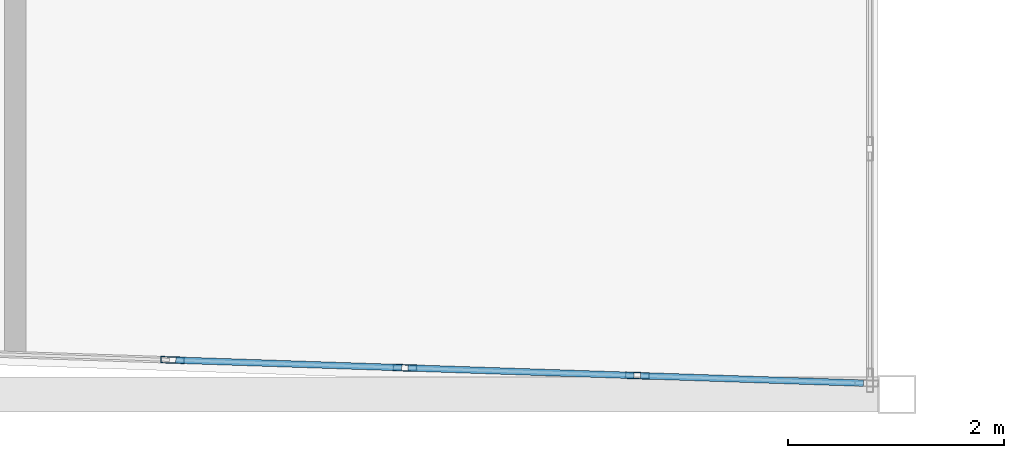
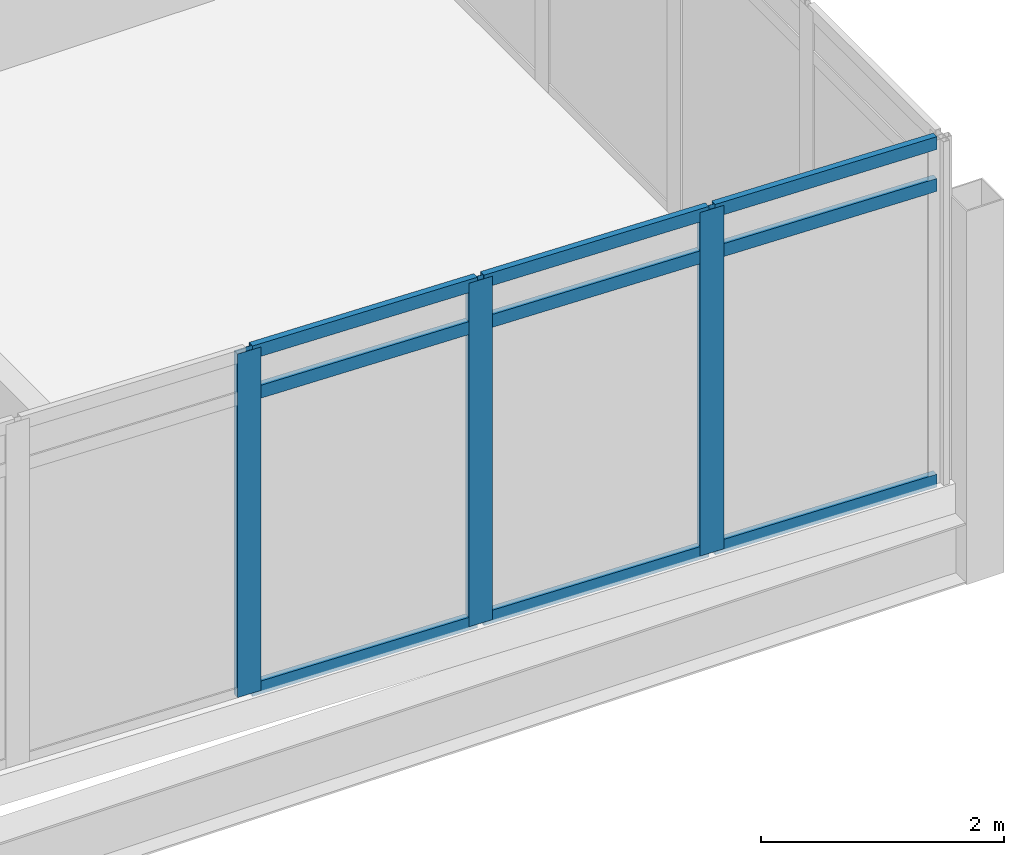
# One storey, part 7 of 29: 12 members, 1 element without a shape of its own.
"""IFC4 building model written with IfcOpenShell, lengths in metres."""

import ifcopenshell
import ifcopenshell.guid

model = None  # the IFC model being written
_history = None  # IfcOwnerHistory: only IFC2X3 demands one
_inside = {}  # id of a spatial element -> (the spatial element, [elements in it])
_under = {}  # id of a project, library or spatial element -> (it, [spatial elements below it])
_declared = {}  # id of a project -> (the project, [libraries it declares])
_typed = {}  # id of a type object -> (the type object, [elements of that type])
_made_of = {}  # id of a material, layer set ... -> (it, [elements and type objects made of it])


def new_model(schema):
    """Start an empty IFC model of exactly this schema.

    Asked for "IFC4X3", IfcOpenShell would pick the latest addendum, in which some entities
    have other attributes; the version numbers below select the first issue.
    IFC2X3 requires an IfcOwnerHistory on every rooted entity: one is made here for all.
    """
    global model, _history
    if schema == "IFC4X3":
        model = ifcopenshell.file(schema_version=(4, 3, 0, 0))
    else:
        model = ifcopenshell.file(schema=schema)
    _inside.clear()
    _under.clear()
    _declared.clear()
    _typed.clear()
    _made_of.clear()
    _history = None
    if model.schema == "IFC2X3":
        org = make("IfcOrganization", Name="unknown")
        user = make(
            "IfcPersonAndOrganization",
            ThePerson=make("IfcPerson", FamilyName="unknown"),
            TheOrganization=org,
        )
        app = make(
            "IfcApplication",
            ApplicationDeveloper=org,
            Version="unknown",
            ApplicationFullName="unknown",
            ApplicationIdentifier="unknown",
        )
        _history = make(
            "IfcOwnerHistory",
            OwningUser=user,
            OwningApplication=app,
            ChangeAction="ADDED",
            CreationDate=0,
        )
    return model


def make(cls, **values):
    """One entity of the class cls with the attributes given. An attribute that is None is left unset."""
    return model.create_entity(
        cls, **{name: value for name, value in values.items() if value is not None}
    )


def rooted(cls, **values):
    """An entity with a GlobalId (a new one), such as an element, a storey or a relation."""
    return make(cls, GlobalId=ifcopenshell.guid.new(), OwnerHistory=_history, **values)


def si_unit(unit_type, name, prefix=None):
    """IfcSIUnit, for example si_unit("LENGTHUNIT", "METRE", prefix="MILLI")."""
    return make("IfcSIUnit", UnitType=unit_type, Prefix=prefix, Name=name)


def assignment(units):
    """IfcUnitAssignment: the units of a project."""
    return None if units is None else make("IfcUnitAssignment", Units=units)


def point(xyz):
    """IfcCartesianPoint."""
    return None if xyz is None else make("IfcCartesianPoint", Coordinates=xyz)


def direction(xyz):
    """IfcDirection."""
    return None if xyz is None else make("IfcDirection", DirectionRatios=xyz)


def frame(location, z_axis=None, x_axis=None):
    """IfcAxis2Placement3D, a coordinate frame: its origin and axes. An axis left out is left unset."""
    return make(
        "IfcAxis2Placement3D",
        Location=point(location),
        Axis=direction(z_axis),
        RefDirection=direction(x_axis),
    )


def frame_2d(location, x_axis=None):
    """IfcAxis2Placement2D, a coordinate frame in the plane: its origin and x axis."""
    return make(
        "IfcAxis2Placement2D", Location=point(location), RefDirection=direction(x_axis)
    )


def origin():
    """The frame at (0, 0, 0) with its axes left unset."""
    return frame((0.0, 0.0, 0.0))


def origin_2d():
    """The frame at (0, 0) in the plane with its x axis left unset."""
    return frame_2d((0.0, 0.0))


def place(relative_to, where):
    """IfcLocalPlacement: puts the frame where relative to a parent placement (None: the world)."""
    return make(
        "IfcLocalPlacement", PlacementRelTo=relative_to, RelativePlacement=where
    )


def context(
    kind, dimensions, precision=None, world=None, true_north=None, identifier=None
):
    """IfcGeometricRepresentationContext, for example the 3D "Model" context."""
    return make(
        "IfcGeometricRepresentationContext",
        ContextIdentifier=identifier,
        ContextType=kind,
        CoordinateSpaceDimension=dimensions,
        Precision=precision,
        WorldCoordinateSystem=world,
        TrueNorth=true_north,
    )


def subcontext(parent, identifier, kind, view, scale=None):
    """IfcGeometricRepresentationSubContext, for example "Body" below "Model"."""
    return make(
        "IfcGeometricRepresentationSubContext",
        ContextIdentifier=identifier,
        ContextType=kind,
        ParentContext=parent,
        TargetScale=scale,
        TargetView=view,
    )


def project(units=None, contexts=None):
    """IfcProject with its units and contexts."""
    return rooted(
        "IfcProject",
        Name="project",
        RepresentationContexts=contexts,
        UnitsInContext=assignment(units),
    )


def spatial(cls, under=None, at=None, **own):
    """A site, building, storey or space (cls), placed at a placement, below another one or the project."""
    s = rooted(cls, ObjectPlacement=at, **own)
    if under is not None:
        _under.setdefault(under.id(), (under, []))[1].append(s)
    return s


def profile(cls, at=None, kind="AREA", **sizes):
    """A parametric profile (cls). Its sizes go by their IFC names, for example OverallWidth=200.0."""
    return make(cls, ProfileType=kind, Position=at, **sizes)


def hollow_rectangle(**sizes):
    """IfcRectangleHollowProfileDef."""
    return profile("IfcRectangleHollowProfileDef", **sizes)


def extrude(swept, where, along, depth):
    """IfcExtrudedAreaSolid: the profile swept, set in the frame where, extruded along a direction by depth."""
    return make(
        "IfcExtrudedAreaSolid",
        SweptArea=swept,
        Position=where,
        ExtrudedDirection=direction(along),
        Depth=depth,
    )


def shape(context_of_items, identifier, shape_type, items):
    """IfcShapeRepresentation: the items that make up one representation, for example the "Body"."""
    return make(
        "IfcShapeRepresentation",
        ContextOfItems=context_of_items,
        RepresentationIdentifier=identifier,
        RepresentationType=shape_type,
        Items=items,
    )


def material(Name=None, Category=None):
    """IfcMaterial."""
    return make("IfcMaterial", Name=Name, Category=Category)


def material_profile(
    of_material, cross_section, Name=None, Category=None, Priority=None
):
    """IfcMaterialProfile: a cross section and its material."""
    return make(
        "IfcMaterialProfile",
        Name=Name,
        Material=of_material,
        Profile=cross_section,
        Priority=Priority,
        Category=Category,
    )


def profile_set(profiles, Name=None, composite=None):
    """IfcMaterialProfileSet."""
    return make(
        "IfcMaterialProfileSet",
        Name=Name,
        MaterialProfiles=profiles,
        CompositeProfile=composite,
    )


def made_of(thing, what):
    """Note that an element or type object is made of a material, layer set ...; save() writes the relation."""
    if what is not None:
        _made_of.setdefault(what.id(), (what, []))[1].append(thing)
    return thing


def type_object(cls, material=None, **own):
    """A type object (cls), such as IfcWallType, which elements share."""
    return made_of(rooted(cls, **own), material)


def element(
    cls,
    number,
    at=None,
    inside=None,
    cuts=None,
    type_object=None,
    material=None,
    context=None,
    identifier="Body",
    shape_type=None,
    held_by="IfcProductDefinitionShape",
    body=None,
    shapes=None,
    **own,
):
    """One element of the class cls, such as IfcWall. Its Tag is "e" and its number.

    at: its placement. inside: the storey or other place that contains it. cuts: it is an
    opening in that element (IfcRelVoidsElement). A single representation is given by context,
    identifier, shape_type and body (its items); several are given by shapes. held_by: the class
    of the entity that holds the representations. save() writes the other relations.
    """
    e = rooted(cls, Tag="e%d" % number, ObjectPlacement=at, **own)
    if body is not None:
        shapes = [shape(context, identifier, shape_type, body)]
    if shapes is not None:
        e.Representation = make(held_by, Representations=shapes)
    if inside is not None:
        _inside.setdefault(inside.id(), (inside, []))[1].append(e)
    if cuts is not None:
        rooted(
            "IfcRelVoidsElement", RelatingBuildingElement=cuts, RelatedOpeningElement=e
        )
    if type_object is not None:
        _typed.setdefault(type_object.id(), (type_object, []))[1].append(e)
    return made_of(e, material)


def aggregate(whole, parts):
    """IfcRelAggregates: a whole, such as a stair, and the parts it consists of."""
    return rooted("IfcRelAggregates", RelatingObject=whole, RelatedObjects=parts)


def save(model, path):
    """Write the relations noted so far, then the file.

    IfcRelAggregates (storeys below a building ...), IfcRelContainedInSpatialStructure (elements
    in a storey), IfcRelDefinesByType, IfcRelAssociatesMaterial and IfcRelDeclares: one each for
    every whole, place, type object, material and project.
    """
    for whole, parts in _under.values():
        aggregate(whole, parts)
    for where, things in _inside.values():
        rooted(
            "IfcRelContainedInSpatialStructure",
            RelatedElements=things,
            RelatingStructure=where,
        )
    for kind, things in _typed.values():
        rooted("IfcRelDefinesByType", RelatedObjects=things, RelatingType=kind)
    for what, things in _made_of.values():
        rooted("IfcRelAssociatesMaterial", RelatedObjects=things, RelatingMaterial=what)
    for by, libraries in _declared.values():
        rooted("IfcRelDeclares", RelatingContext=by, RelatedDefinitions=libraries)
    model.write(path)


model = new_model("IFC4")

# Units and contexts
model_context = context("Model", 3, precision=1e-05, world=origin(), true_north=direction((0.0, 1.0)))
body_context = subcontext(model_context, "Body", "Model", "MODEL_VIEW")
ifc_project = project(units=[si_unit("LENGTHUNIT", "METRE"), si_unit("AREAUNIT", "SQUARE_METRE"), si_unit("VOLUMEUNIT", "CUBIC_METRE"), si_unit("PLANEANGLEUNIT", "RADIAN"), si_unit("MASSUNIT", "GRAM", prefix="KILO")], contexts=[model_context])

# Site, building, storey
site_placement = place(None, origin())
site = spatial("IfcSite", under=ifc_project, at=site_placement, CompositionType="ELEMENT")
building_placement = place(site_placement, origin())
building = spatial("IfcBuilding", under=site, at=building_placement, Name="Ostrander Bayou Hotel Tower", CompositionType="ELEMENT")
storey_placement = place(building_placement, frame((0.0, 0.0, 202.0)))
storey = spatial("IfcBuildingStorey", under=building, at=storey_placement, Name="L50", CompositionType="ELEMENT", Elevation=202.0)

# Curtain wall, members
ifc_material_1 = material(Name="Aluminium and clear glass", Category="aluminium")
curtain_wall_type = type_object("IfcCurtainWallType", Name="CW-BAR glazed wall", PredefinedType="NOTDEFINED", material=ifc_material_1)
curtain_wall_placement = place(storey_placement, origin())
curtain_wall = element("IfcCurtainWall", 1, at=curtain_wall_placement, inside=storey, type_object=curtain_wall_type, Name="CW-BAR L50:SB4S:T", PredefinedType="NOTDEFINED")
ifc_material_2 = material(Name="Aluminium", Category="aluminium")
ifc_material_profile_1 = material_profile(ifc_material_2, hollow_rectangle(XDim=0.06005859375, YDim=0.219970703125, WallThickness=0.00390625, at=origin_2d()))
ifc_profile_set_1 = profile_set([ifc_material_profile_1], Name="Aluminium")
member_type_1 = type_object("IfcMemberType", Name="CW-BR mullion 60 x 220 mm", PredefinedType="MULLION", material=ifc_profile_set_1)
member_1_placement = place(storey_placement, frame((5.3896484375, -29.83056640625, 0.0), z_axis=(0.0, 0.0, 1.0), x_axis=(0.03350511268, 0.999438546097, 0.0)))
member_1 = element("IfcMember", 2, at=member_1_placement, type_object=member_type_1, Name="CW-BAR mullion 9", PredefinedType="MULLION", context=body_context, shape_type="SweptSolid", body=[
    extrude(hollow_rectangle(XDim=0.06005859375, YDim=0.219970703125, WallThickness=0.00390625, at=origin_2d()), origin(), (0.0, 0.0, 1.0), 3.449951171875),
])
member_2_placement = place(storey_placement, frame((7.54541015625, -29.903076171875, 0.0), z_axis=(0.0, 0.0, 1.0), x_axis=(0.03350511268, 0.999438546097, 0.0)))
member_2 = element("IfcMember", 3, at=member_2_placement, type_object=member_type_1, Name="CW-BAR mullion 10", PredefinedType="MULLION", context=body_context, shape_type="SweptSolid", body=[
    extrude(hollow_rectangle(XDim=0.06005859375, YDim=0.219970703125, WallThickness=0.00390625, at=origin_2d()), origin(), (0.0, 0.0, 1.0), 3.449951171875),
])
member_3_placement = place(storey_placement, frame((9.701416015625, -29.975341796875, 0.0), z_axis=(0.0, 0.0, 1.0), x_axis=(0.03350511268, 0.999438546097, 0.0)))
member_3 = element("IfcMember", 4, at=member_3_placement, type_object=member_type_1, Name="CW-BAR mullion 11", PredefinedType="MULLION", context=body_context, shape_type="SweptSolid", body=[
    extrude(hollow_rectangle(XDim=0.06005859375, YDim=0.219970703125, WallThickness=0.00390625, at=origin_2d()), origin(), (0.0, 0.0, 1.0), 3.449951171875),
])
ifc_material_3 = material(Name="Aluminium", Category="aluminium")
ifc_material_profile_2 = material_profile(ifc_material_3, hollow_rectangle(XDim=0.06005859375, YDim=0.1298828125, WallThickness=0.00390625, at=origin_2d()))
ifc_profile_set_2 = profile_set([ifc_material_profile_2], Name="Aluminium")
member_type_2 = type_object("IfcMemberType", Name="CW-BR transom 60 x 130 mm", PredefinedType="USERDEFINED", material=ifc_profile_set_2)
member_4_placement = place(storey_placement, frame((5.419677734375, -29.831787109375, 0.030029296875), z_axis=(0.999441672059, -0.033411736736, 0.0), x_axis=(0.033411736736, 0.999441672059, 0.0)))
member_4 = element("IfcMember", 5, at=member_4_placement, type_object=member_type_2, Name="CW-BAR transom 9.1", ObjectType="TRANSOM", PredefinedType="USERDEFINED", context=body_context, shape_type="SweptSolid", body=[
    extrude(hollow_rectangle(XDim=0.06005859375, YDim=0.1298828125, WallThickness=0.00390625, at=origin_2d()), origin(), (0.0, 0.0, 1.0), 2.09716796875),
])
member_5_placement = place(storey_placement, frame((5.419677734375, -29.831787109375, 3.0), z_axis=(0.999441672059, -0.033411736736, 0.0), x_axis=(0.033411736736, 0.999441672059, 0.0)))
member_5 = element("IfcMember", 6, at=member_5_placement, type_object=member_type_2, Name="CW-BAR transom 9.2", ObjectType="TRANSOM", PredefinedType="USERDEFINED", context=body_context, shape_type="SweptSolid", body=[
    extrude(hollow_rectangle(XDim=0.06005859375, YDim=0.1298828125, WallThickness=0.00390625, at=origin_2d()), origin(), (0.0, 0.0, 1.0), 2.09716796875),
])
member_6_placement = place(storey_placement, frame((5.419677734375, -29.831787109375, 3.419921875), z_axis=(0.999441672059, -0.033411736736, 0.0), x_axis=(0.033411736736, 0.999441672059, 0.0)))
member_6 = element("IfcMember", 7, at=member_6_placement, type_object=member_type_2, Name="CW-BAR transom 9.3", ObjectType="TRANSOM", PredefinedType="USERDEFINED", context=body_context, shape_type="SweptSolid", body=[
    extrude(hollow_rectangle(XDim=0.06005859375, YDim=0.1298828125, WallThickness=0.00390625, at=origin_2d()), origin(), (0.0, 0.0, 1.0), 2.09716796875),
])
member_7_placement = place(storey_placement, frame((7.575439453125, -29.904052734375, 0.030029296875), z_axis=(0.999441672059, -0.033411736736, 0.0), x_axis=(0.033411736736, 0.999441672059, 0.0)))
member_7 = element("IfcMember", 8, at=member_7_placement, type_object=member_type_2, Name="CW-BAR transom 10.1", ObjectType="TRANSOM", PredefinedType="USERDEFINED", context=body_context, shape_type="SweptSolid", body=[
    extrude(hollow_rectangle(XDim=0.06005859375, YDim=0.1298828125, WallThickness=0.00390625, at=origin_2d()), origin(), (0.0, 0.0, 1.0), 2.09716796875),
])
member_8_placement = place(storey_placement, frame((7.575439453125, -29.904052734375, 3.0), z_axis=(0.999441672059, -0.033411736736, 0.0), x_axis=(0.033411736736, 0.999441672059, 0.0)))
member_8 = element("IfcMember", 9, at=member_8_placement, type_object=member_type_2, Name="CW-BAR transom 10.2", ObjectType="TRANSOM", PredefinedType="USERDEFINED", context=body_context, shape_type="SweptSolid", body=[
    extrude(hollow_rectangle(XDim=0.06005859375, YDim=0.1298828125, WallThickness=0.00390625, at=origin_2d()), origin(), (0.0, 0.0, 1.0), 2.09716796875),
])
member_9_placement = place(storey_placement, frame((7.575439453125, -29.904052734375, 3.419921875), z_axis=(0.999441672059, -0.033411736736, 0.0), x_axis=(0.033411736736, 0.999441672059, 0.0)))
member_9 = element("IfcMember", 10, at=member_9_placement, type_object=member_type_2, Name="CW-BAR transom 10.3", ObjectType="TRANSOM", PredefinedType="USERDEFINED", context=body_context, shape_type="SweptSolid", body=[
    extrude(hollow_rectangle(XDim=0.06005859375, YDim=0.1298828125, WallThickness=0.00390625, at=origin_2d()), origin(), (0.0, 0.0, 1.0), 2.09716796875),
])
member_10_placement = place(storey_placement, frame((9.7314453125, -29.976318359375, 0.030029296875), z_axis=(0.999441098501, -0.033428889124, 0.0), x_axis=(0.033428889124, 0.999441098501, 0.0)))
member_10 = element("IfcMember", 11, at=member_10_placement, type_object=member_type_2, Name="CW-BAR transom 11.1", ObjectType="TRANSOM", PredefinedType="USERDEFINED", context=body_context, shape_type="SweptSolid", body=[
    extrude(hollow_rectangle(XDim=0.06005859375, YDim=0.1298828125, WallThickness=0.00390625, at=origin_2d()), origin(), (0.0, 0.0, 1.0), 2.06689453125),
])
member_11_placement = place(storey_placement, frame((9.7314453125, -29.976318359375, 3.0), z_axis=(0.999441098501, -0.033428889124, 0.0), x_axis=(0.033428889124, 0.999441098501, 0.0)))
member_11 = element("IfcMember", 12, at=member_11_placement, type_object=member_type_2, Name="CW-BAR transom 11.2", ObjectType="TRANSOM", PredefinedType="USERDEFINED", context=body_context, shape_type="SweptSolid", body=[
    extrude(hollow_rectangle(XDim=0.06005859375, YDim=0.1298828125, WallThickness=0.00390625, at=origin_2d()), origin(), (0.0, 0.0, 1.0), 2.06689453125),
])
member_12_placement = place(storey_placement, frame((9.7314453125, -29.976318359375, 3.419921875), z_axis=(0.999441098501, -0.033428889124, 0.0), x_axis=(0.033428889124, 0.999441098501, 0.0)))
member_12 = element("IfcMember", 13, at=member_12_placement, type_object=member_type_2, Name="CW-BAR transom 11.3", ObjectType="TRANSOM", PredefinedType="USERDEFINED", context=body_context, shape_type="SweptSolid", body=[
    extrude(hollow_rectangle(XDim=0.06005859375, YDim=0.1298828125, WallThickness=0.00390625, at=origin_2d()), origin(), (0.0, 0.0, 1.0), 2.06689453125),
])
aggregate(curtain_wall, [member_1, member_2, member_3, member_4, member_5, member_6, member_7, member_8, member_9, member_10, member_11, member_12])

save(model, "model.ifc")
